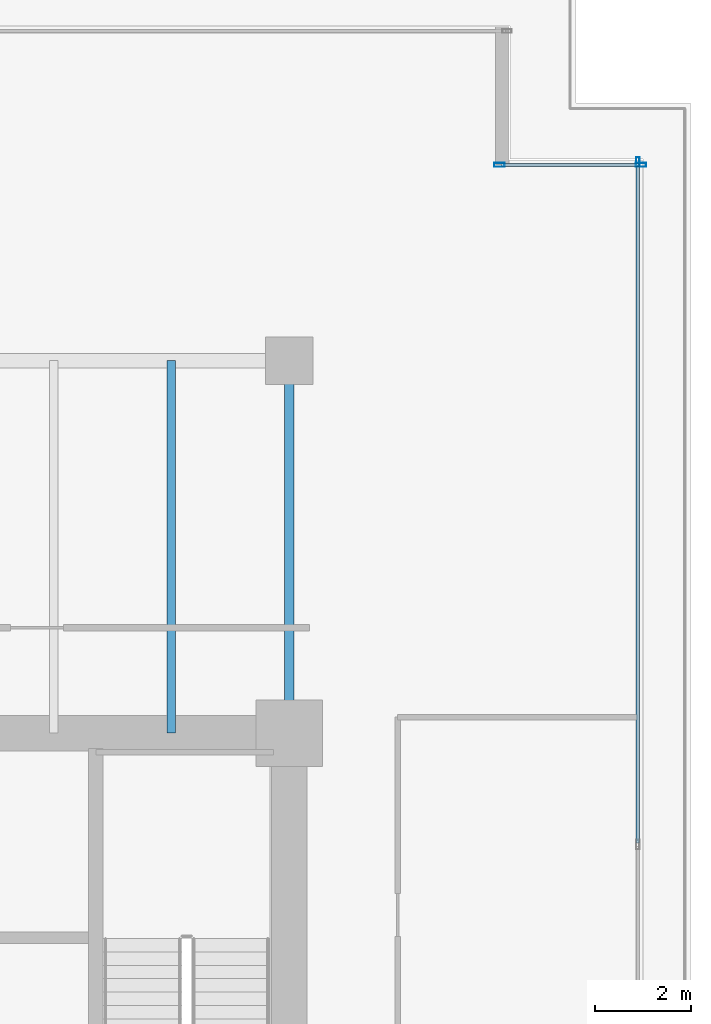
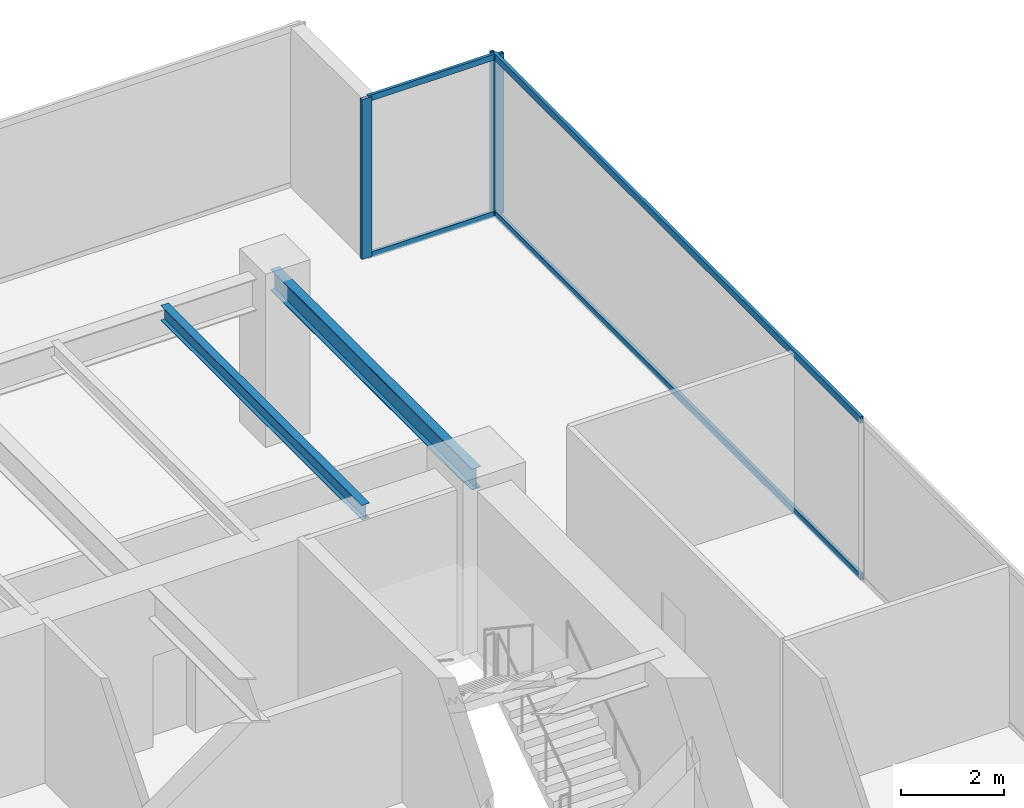
# One storey, part 26 of 36: 7 members, 2 beams, 2 elements without a shape of their own.
"""IFC4 building model written with IfcOpenShell, lengths in metres."""

import ifcopenshell
import ifcopenshell.guid

model = None  # the IFC model being written
_history = None  # IfcOwnerHistory: only IFC2X3 demands one
_inside = {}  # id of a spatial element -> (the spatial element, [elements in it])
_under = {}  # id of a project, library or spatial element -> (it, [spatial elements below it])
_declared = {}  # id of a project -> (the project, [libraries it declares])
_typed = {}  # id of a type object -> (the type object, [elements of that type])
_made_of = {}  # id of a material, layer set ... -> (it, [elements and type objects made of it])


def new_model(schema):
    """Start an empty IFC model of exactly this schema.

    Asked for "IFC4X3", IfcOpenShell would pick the latest addendum, in which some entities
    have other attributes; the version numbers below select the first issue.
    IFC2X3 requires an IfcOwnerHistory on every rooted entity: one is made here for all.
    """
    global model, _history
    if schema == "IFC4X3":
        model = ifcopenshell.file(schema_version=(4, 3, 0, 0))
    else:
        model = ifcopenshell.file(schema=schema)
    _inside.clear()
    _under.clear()
    _declared.clear()
    _typed.clear()
    _made_of.clear()
    _history = None
    if model.schema == "IFC2X3":
        org = make("IfcOrganization", Name="unknown")
        user = make(
            "IfcPersonAndOrganization",
            ThePerson=make("IfcPerson", FamilyName="unknown"),
            TheOrganization=org,
        )
        app = make(
            "IfcApplication",
            ApplicationDeveloper=org,
            Version="unknown",
            ApplicationFullName="unknown",
            ApplicationIdentifier="unknown",
        )
        _history = make(
            "IfcOwnerHistory",
            OwningUser=user,
            OwningApplication=app,
            ChangeAction="ADDED",
            CreationDate=0,
        )
    return model


def make(cls, **values):
    """One entity of the class cls with the attributes given. An attribute that is None is left unset."""
    return model.create_entity(
        cls, **{name: value for name, value in values.items() if value is not None}
    )


def rooted(cls, **values):
    """An entity with a GlobalId (a new one), such as an element, a storey or a relation."""
    return make(cls, GlobalId=ifcopenshell.guid.new(), OwnerHistory=_history, **values)


def si_unit(unit_type, name, prefix=None):
    """IfcSIUnit, for example si_unit("LENGTHUNIT", "METRE", prefix="MILLI")."""
    return make("IfcSIUnit", UnitType=unit_type, Prefix=prefix, Name=name)


def assignment(units):
    """IfcUnitAssignment: the units of a project."""
    return None if units is None else make("IfcUnitAssignment", Units=units)


def point(xyz):
    """IfcCartesianPoint."""
    return None if xyz is None else make("IfcCartesianPoint", Coordinates=xyz)


def direction(xyz):
    """IfcDirection."""
    return None if xyz is None else make("IfcDirection", DirectionRatios=xyz)


def frame(location, z_axis=None, x_axis=None):
    """IfcAxis2Placement3D, a coordinate frame: its origin and axes. An axis left out is left unset."""
    return make(
        "IfcAxis2Placement3D",
        Location=point(location),
        Axis=direction(z_axis),
        RefDirection=direction(x_axis),
    )


def frame_2d(location, x_axis=None):
    """IfcAxis2Placement2D, a coordinate frame in the plane: its origin and x axis."""
    return make(
        "IfcAxis2Placement2D", Location=point(location), RefDirection=direction(x_axis)
    )


def origin():
    """The frame at (0, 0, 0) with its axes left unset."""
    return frame((0.0, 0.0, 0.0))


def origin_2d():
    """The frame at (0, 0) in the plane with its x axis left unset."""
    return frame_2d((0.0, 0.0))


def place(relative_to, where):
    """IfcLocalPlacement: puts the frame where relative to a parent placement (None: the world)."""
    return make(
        "IfcLocalPlacement", PlacementRelTo=relative_to, RelativePlacement=where
    )


def context(
    kind, dimensions, precision=None, world=None, true_north=None, identifier=None
):
    """IfcGeometricRepresentationContext, for example the 3D "Model" context."""
    return make(
        "IfcGeometricRepresentationContext",
        ContextIdentifier=identifier,
        ContextType=kind,
        CoordinateSpaceDimension=dimensions,
        Precision=precision,
        WorldCoordinateSystem=world,
        TrueNorth=true_north,
    )


def subcontext(parent, identifier, kind, view, scale=None):
    """IfcGeometricRepresentationSubContext, for example "Body" below "Model"."""
    return make(
        "IfcGeometricRepresentationSubContext",
        ContextIdentifier=identifier,
        ContextType=kind,
        ParentContext=parent,
        TargetScale=scale,
        TargetView=view,
    )


def project(units=None, contexts=None):
    """IfcProject with its units and contexts."""
    return rooted(
        "IfcProject",
        Name="project",
        RepresentationContexts=contexts,
        UnitsInContext=assignment(units),
    )


def spatial(cls, under=None, at=None, **own):
    """A site, building, storey or space (cls), placed at a placement, below another one or the project."""
    s = rooted(cls, ObjectPlacement=at, **own)
    if under is not None:
        _under.setdefault(under.id(), (under, []))[1].append(s)
    return s


def profile(cls, at=None, kind="AREA", **sizes):
    """A parametric profile (cls). Its sizes go by their IFC names, for example OverallWidth=200.0."""
    return make(cls, ProfileType=kind, Position=at, **sizes)


def hollow_rectangle(**sizes):
    """IfcRectangleHollowProfileDef."""
    return profile("IfcRectangleHollowProfileDef", **sizes)


def i_section(**sizes):
    """IfcIShapeProfileDef."""
    return profile("IfcIShapeProfileDef", **sizes)


def extrude(swept, where, along, depth):
    """IfcExtrudedAreaSolid: the profile swept, set in the frame where, extruded along a direction by depth."""
    return make(
        "IfcExtrudedAreaSolid",
        SweptArea=swept,
        Position=where,
        ExtrudedDirection=direction(along),
        Depth=depth,
    )


def shape(context_of_items, identifier, shape_type, items):
    """IfcShapeRepresentation: the items that make up one representation, for example the "Body"."""
    return make(
        "IfcShapeRepresentation",
        ContextOfItems=context_of_items,
        RepresentationIdentifier=identifier,
        RepresentationType=shape_type,
        Items=items,
    )


def source(mapping_origin, context_of_items, identifier, shape_type, items):
    """IfcRepresentationMap: a shape defined once, which mapped items show again and again."""
    return make(
        "IfcRepresentationMap",
        MappingOrigin=mapping_origin,
        MappedRepresentation=shape(context_of_items, identifier, shape_type, items),
    )


def transform(
    local_origin,
    x_axis=None,
    y_axis=None,
    z_axis=None,
    scale=None,
    scale2=None,
    scale3=None,
    uniform=True,
):
    """IfcCartesianTransformationOperator3D, or its non-uniform kind. x_axis, y_axis, z_axis: its Axis1, 2, 3."""
    if uniform:
        return make(
            "IfcCartesianTransformationOperator3D",
            Axis1=direction(x_axis),
            Axis2=direction(y_axis),
            LocalOrigin=point(local_origin),
            Scale=scale,
            Axis3=direction(z_axis),
        )
    return make(
        "IfcCartesianTransformationOperator3DnonUniform",
        Axis1=direction(x_axis),
        Axis2=direction(y_axis),
        LocalOrigin=point(local_origin),
        Scale=scale,
        Axis3=direction(z_axis),
        Scale2=scale2,
        Scale3=scale3,
    )


def mapped(mapping_source, mapping_target):
    """IfcMappedItem: shows the shape of a source again, moved by a transform."""
    return make(
        "IfcMappedItem", MappingSource=mapping_source, MappingTarget=mapping_target
    )


def material(Name=None, Category=None):
    """IfcMaterial."""
    return make("IfcMaterial", Name=Name, Category=Category)


def layer(
    of_material, thickness, ventilated=None, Name=None, Category=None, Priority=None
):
    """IfcMaterialLayer: one layer of a wall or slab, of a material (None: an air gap)."""
    return make(
        "IfcMaterialLayer",
        Material=of_material,
        LayerThickness=thickness,
        IsVentilated=ventilated,
        Name=Name,
        Category=Category,
        Priority=Priority,
    )


def layer_set(layers, Name=None):
    """IfcMaterialLayerSet."""
    return make("IfcMaterialLayerSet", MaterialLayers=layers, LayerSetName=Name)


def material_profile(
    of_material, cross_section, Name=None, Category=None, Priority=None
):
    """IfcMaterialProfile: a cross section and its material."""
    return make(
        "IfcMaterialProfile",
        Name=Name,
        Material=of_material,
        Profile=cross_section,
        Priority=Priority,
        Category=Category,
    )


def profile_set(profiles, Name=None, composite=None):
    """IfcMaterialProfileSet."""
    return make(
        "IfcMaterialProfileSet",
        Name=Name,
        MaterialProfiles=profiles,
        CompositeProfile=composite,
    )


def made_of(thing, what):
    """Note that an element or type object is made of a material, layer set ...; save() writes the relation."""
    if what is not None:
        _made_of.setdefault(what.id(), (what, []))[1].append(thing)
    return thing


def type_object(cls, material=None, **own):
    """A type object (cls), such as IfcWallType, which elements share."""
    return made_of(rooted(cls, **own), material)


def type_shapes(of_type, sources):
    """Give a type object the sources (RepresentationMaps) that its elements show as mapped items."""
    of_type.RepresentationMaps = sources


def element(
    cls,
    number,
    at=None,
    inside=None,
    cuts=None,
    type_object=None,
    material=None,
    context=None,
    identifier="Body",
    shape_type=None,
    held_by="IfcProductDefinitionShape",
    body=None,
    shapes=None,
    **own,
):
    """One element of the class cls, such as IfcWall. Its Tag is "e" and its number.

    at: its placement. inside: the storey or other place that contains it. cuts: it is an
    opening in that element (IfcRelVoidsElement). A single representation is given by context,
    identifier, shape_type and body (its items); several are given by shapes. held_by: the class
    of the entity that holds the representations. save() writes the other relations.
    """
    e = rooted(cls, Tag="e%d" % number, ObjectPlacement=at, **own)
    if body is not None:
        shapes = [shape(context, identifier, shape_type, body)]
    if shapes is not None:
        e.Representation = make(held_by, Representations=shapes)
    if inside is not None:
        _inside.setdefault(inside.id(), (inside, []))[1].append(e)
    if cuts is not None:
        rooted(
            "IfcRelVoidsElement", RelatingBuildingElement=cuts, RelatedOpeningElement=e
        )
    if type_object is not None:
        _typed.setdefault(type_object.id(), (type_object, []))[1].append(e)
    return made_of(e, material)


def aggregate(whole, parts):
    """IfcRelAggregates: a whole, such as a stair, and the parts it consists of."""
    return rooted("IfcRelAggregates", RelatingObject=whole, RelatedObjects=parts)


def save(model, path):
    """Write the relations noted so far, then the file.

    IfcRelAggregates (storeys below a building ...), IfcRelContainedInSpatialStructure (elements
    in a storey), IfcRelDefinesByType, IfcRelAssociatesMaterial and IfcRelDeclares: one each for
    every whole, place, type object, material and project.
    """
    for whole, parts in _under.values():
        aggregate(whole, parts)
    for where, things in _inside.values():
        rooted(
            "IfcRelContainedInSpatialStructure",
            RelatedElements=things,
            RelatingStructure=where,
        )
    for kind, things in _typed.values():
        rooted("IfcRelDefinesByType", RelatedObjects=things, RelatingType=kind)
    for what, things in _made_of.values():
        rooted("IfcRelAssociatesMaterial", RelatedObjects=things, RelatingMaterial=what)
    for by, libraries in _declared.values():
        rooted("IfcRelDeclares", RelatingContext=by, RelatedDefinitions=libraries)
    model.write(path)


model = new_model("IFC4")

# Units and contexts
model_context = context("Model", 3, precision=1e-05, world=origin(), true_north=direction((0.0, 1.0)))
body_context = subcontext(model_context, "Body", "Model", "MODEL_VIEW")
ifc_project = project(units=[si_unit("LENGTHUNIT", "METRE"), si_unit("AREAUNIT", "SQUARE_METRE"), si_unit("VOLUMEUNIT", "CUBIC_METRE"), si_unit("PLANEANGLEUNIT", "RADIAN"), si_unit("MASSUNIT", "GRAM", prefix="KILO")], contexts=[model_context])

# Site, building, storey
site_placement = place(None, origin())
site = spatial("IfcSite", under=ifc_project, at=site_placement, CompositionType="ELEMENT")
building_placement = place(site_placement, origin())
building = spatial("IfcBuilding", under=site, at=building_placement, Name="Haelvirn Gate Laboratories", CompositionType="ELEMENT")
storey_placement = place(building_placement, frame((0.0, 0.0, 25.199951171875)))
storey = spatial("IfcBuildingStorey", under=building, at=storey_placement, Name="L06", CompositionType="ELEMENT", Elevation=25.199951171875)

# Beams
ifc_material_1 = material(Name="Steel SM355", Category="steel")
ifc_material_profile_1 = material_profile(ifc_material_1, i_section(OverallWidth=0.199951171875, OverallDepth=0.5, WebThickness=0.010009765625, FlangeThickness=0.01611328125, at=origin_2d()), Name="H-500x200x10x16")
ifc_profile_set_1 = profile_set([ifc_material_profile_1], Name="Steel SM355")
beam_type_1 = type_object("IfcBeamType", Name="BM-SP-500", PredefinedType="SPANDREL", material=ifc_profile_set_1)
shared_shape_1 = source(origin(), body_context, "Body", "SweptSolid", [
    extrude(i_section(OverallWidth=0.199951171875, OverallDepth=0.5, WebThickness=0.010009765625, FlangeThickness=0.01611328125, at=origin_2d()), origin(), (0.0, 0.0, 1.0), 7.800048828125),
])
type_shapes(beam_type_1, [shared_shape_1])
beam_1_placement = place(storey_placement, frame((67.39990234375, 33.800048828125, 3.530029296875), z_axis=(0.0, 1.0, 0.0), x_axis=(-1.0, 0.0, 0.0)))
element("IfcBeam", 1, at=beam_1_placement, inside=storey, type_object=beam_type_1, Name="L06 Perimeter Spandrel X67.4 (33.8-41.6)", PredefinedType="SPANDREL", context=body_context, shape_type="MappedRepresentation", body=[
    mapped(shared_shape_1, transform((0.0, 0.0, 0.0), scale=1.0)),
])
ifc_material_profile_2 = material_profile(ifc_material_1, i_section(OverallWidth=0.175048828125, OverallDepth=0.35009765625, WebThickness=0.007080078125, FlangeThickness=0.010986328125, at=origin_2d()), Name="H-350x175x7x11")
ifc_profile_set_2 = profile_set([ifc_material_profile_2], Name="Steel SM355")
beam_type_2 = type_object("IfcBeamType", Name="BM-J-350", PredefinedType="JOIST", material=ifc_profile_set_2)
shared_shape_2 = source(origin(), body_context, "Body", "SweptSolid", [
    extrude(i_section(OverallWidth=0.175048828125, OverallDepth=0.35009765625, WebThickness=0.007080078125, FlangeThickness=0.010986328125, at=origin_2d()), origin(), (0.0, 0.0, 1.0), 7.800048828125),
])
type_shapes(beam_type_2, [shared_shape_2])
beam_2_placement = place(storey_placement, frame((64.929931640625, 33.800048828125, 3.60498046875), z_axis=(0.0, 1.0, 0.0), x_axis=(-1.0, 0.0, 0.0)))
element("IfcBeam", 2, at=beam_2_placement, inside=storey, type_object=beam_type_2, Name="L06 Composite Lab Joist North X64.93", PredefinedType="JOIST", context=body_context, shape_type="MappedRepresentation", body=[
    mapped(shared_shape_2, transform((0.0, 0.0, 0.0), scale=1.0)),
])

# Curtain wall, member
ifc_material_2 = material(Name="Anodised bronze unitised aluminium & triple low-E glass", Category="aluminium")
ifc_layer_1 = layer(ifc_material_2, 0.18408203125, Name="CW-SYS-2")
ifc_layer_set_1 = layer_set([ifc_layer_1], Name="Anodised bronze unitised aluminium & triple low-E glass")
curtain_wall_type_1 = type_object("IfcCurtainWallType", Name="CW-SYS-2", PredefinedType="NOTDEFINED", material=ifc_layer_set_1)
curtain_wall_1_placement = place(storey_placement, origin())
curtain_wall_1 = element("IfcCurtainWall", 3, at=curtain_wall_1_placement, inside=storey, type_object=curtain_wall_type_1, Name="L06 Unitised Curtain Wall CW-L06-P0-E07", PredefinedType="NOTDEFINED")
ifc_material_3 = material(Name="Extruded aluminium 6063-T6 (anodised bronze)", Category="aluminium")
ifc_material_profile_3 = material_profile(ifc_material_3, hollow_rectangle(XDim=0.074951171875, YDim=0.199951171875, WallThickness=0.0048828125, at=origin_2d()), Name="CWM-200x75x5")
ifc_profile_set_3 = profile_set([ifc_material_profile_3], Name="Extruded aluminium 6063-T6 (anodised bronze)")
member_type_1 = type_object("IfcMemberType", Name="CWM-T200", PredefinedType="MULLION", material=ifc_profile_set_3)
shared_shape_3 = source(origin(), body_context, "Body", "SweptSolid", [
    extrude(hollow_rectangle(XDim=0.074951171875, YDim=0.199951171875, WallThickness=0.0048828125, at=origin_2d()), origin(), (0.0, 0.0, 1.0), 3.780029296875),
])
type_shapes(member_type_1, [shared_shape_3])
member_1_placement = place(storey_placement, frame((74.699951171875, 45.762451171875, 0.0), z_axis=(0.0, 0.0, 1.0), x_axis=(-1.0, 0.0, 0.0)))
member_1 = element("IfcMember", 4, at=member_1_placement, type_object=member_type_1, Name="CW2 mullion 4", PredefinedType="MULLION", context=body_context, shape_type="MappedRepresentation", body=[
    mapped(shared_shape_3, transform((0.0, 0.0, 0.0), scale=1.0)),
])

# Curtain wall, members
ifc_layer_2 = layer(ifc_material_2, 0.181884765625, Name="CW-SYS-5")
ifc_layer_set_2 = layer_set([ifc_layer_2], Name="Anodised bronze unitised aluminium & triple low-E glass")
curtain_wall_type_2 = type_object("IfcCurtainWallType", Name="CW-SYS-5", PredefinedType="NOTDEFINED", material=ifc_layer_set_2)
curtain_wall_2_placement = place(storey_placement, origin())
curtain_wall_2 = element("IfcCurtainWall", 5, at=curtain_wall_2_placement, inside=storey, type_object=curtain_wall_type_2, Name="L06 Unitised Curtain Wall CW-L06-P0-E08-1", PredefinedType="NOTDEFINED")
ifc_material_profile_4 = material_profile(ifc_material_3, hollow_rectangle(XDim=0.080078125, YDim=0.219970703125, WallThickness=0.006103515625, at=origin_2d()), Name="CWM-220x80x6")
ifc_profile_set_4 = profile_set([ifc_material_profile_4], Name="Extruded aluminium 6063-T6 (anodised bronze)")
member_type_2 = type_object("IfcMemberType", Name="CWM-T220", PredefinedType="MULLION", material=ifc_profile_set_4)
shared_shape_4 = source(origin(), body_context, "Body", "SweptSolid", [
    extrude(hollow_rectangle(XDim=0.080078125, YDim=0.219970703125, WallThickness=0.006103515625, at=origin_2d()), origin(), (0.0, 0.0, 1.0), 3.780029296875),
])
type_shapes(member_type_2, [shared_shape_4])
member_2_placement = place(storey_placement, frame((71.800048828125, 45.699951171875, 0.0), z_axis=(0.0, 0.0, 1.0), x_axis=(0.0, 1.0, 0.0)))
member_2 = element("IfcMember", 6, at=member_2_placement, type_object=member_type_2, Name="CW5 mullion 1", PredefinedType="MULLION", context=body_context, shape_type="MappedRepresentation", body=[
    mapped(shared_shape_4, transform((0.0, 0.0, 0.0), scale=1.0)),
])
member_3_placement = place(storey_placement, frame((74.760009765625, 45.699951171875, 0.0), z_axis=(0.0, 0.0, 1.0), x_axis=(0.0, 1.0, 0.0)))
member_3 = element("IfcMember", 7, at=member_3_placement, type_object=member_type_2, Name="CW5 mullion 2", PredefinedType="MULLION", context=body_context, shape_type="MappedRepresentation", body=[
    mapped(shared_shape_4, transform((0.0, 0.0, 0.0), scale=1.0)),
])
ifc_material_profile_5 = material_profile(ifc_material_3, hollow_rectangle(XDim=0.06494140625, YDim=0.139892578125, WallThickness=0.00390625, at=origin_2d()), Name="CWT-140x65x4")
ifc_profile_set_5 = profile_set([ifc_material_profile_5], Name="Extruded aluminium 6063-T6 (anodised bronze)")
member_type_3 = type_object("IfcMemberType", Name="CWT-T140", PredefinedType="USERDEFINED", material=ifc_profile_set_5)
shared_shape_5 = source(origin(), body_context, "Body", "SweptSolid", [
    extrude(hollow_rectangle(XDim=0.06494140625, YDim=0.139892578125, WallThickness=0.00390625, at=origin_2d()), origin(), (0.0, 0.0, 1.0), 2.8798828125),
])
type_shapes(member_type_3, [shared_shape_5])
member_4_placement = place(storey_placement, frame((71.840087890625, 45.699951171875, 0.032470703125), z_axis=(1.0, 0.0, 0.0), x_axis=(0.0, 1.0, 0.0)))
member_4 = element("IfcMember", 8, at=member_4_placement, type_object=member_type_3, Name="CW5 transom 1.1", ObjectType="TRANSOM", PredefinedType="USERDEFINED", context=body_context, shape_type="MappedRepresentation", body=[
    mapped(shared_shape_5, transform((0.0, 0.0, 0.0), scale=1.0)),
])
member_5_placement = place(storey_placement, frame((71.840087890625, 45.699951171875, 3.74755859375), z_axis=(1.0, 0.0, 0.0), x_axis=(0.0, 1.0, 0.0)))
member_5 = element("IfcMember", 9, at=member_5_placement, type_object=member_type_3, Name="CW5 transom 1.2", ObjectType="TRANSOM", PredefinedType="USERDEFINED", context=body_context, shape_type="MappedRepresentation", body=[
    mapped(shared_shape_5, transform((0.0, 0.0, 0.0), scale=1.0)),
])
aggregate(curtain_wall_2, [member_2, member_3, member_4, member_5])

# Member
ifc_material_profile_6 = material_profile(ifc_material_3, hollow_rectangle(XDim=0.070068359375, YDim=0.159912109375, WallThickness=0.0048828125, at=origin_2d()), Name="CWT-160x70x5")
ifc_profile_set_6 = profile_set([ifc_material_profile_6], Name="Extruded aluminium 6063-T6 (anodised bronze)")
member_type_4 = type_object("IfcMemberType", Name="CWT-T160", PredefinedType="USERDEFINED", material=ifc_profile_set_6)
shared_shape_6 = source(origin(), body_context, "Body", "SweptSolid", [
    extrude(hollow_rectangle(XDim=0.070068359375, YDim=0.159912109375, WallThickness=0.0048828125, at=origin_2d()), origin(), (0.0, 0.0, 1.0), 14.220947265625),
])
type_shapes(member_type_4, [shared_shape_6])
member_6_placement = place(storey_placement, frame((74.699951171875, 31.504150390625, 0.03515625), z_axis=(0.0, 1.0, 0.0), x_axis=(-1.0, 0.0, 0.0)))
member_6 = element("IfcMember", 10, at=member_6_placement, type_object=member_type_4, Name="CW2 transom 3.1", ObjectType="TRANSOM", PredefinedType="USERDEFINED", context=body_context, shape_type="MappedRepresentation", body=[
    mapped(shared_shape_6, transform((0.0, 0.0, 0.0), scale=1.0)),
])

member_7_placement = place(storey_placement, frame((74.699951171875, 31.504150390625, 3.7451171875), z_axis=(0.0, 1.0, 0.0), x_axis=(-1.0, 0.0, 0.0)))
member_7 = element("IfcMember", 11, at=member_7_placement, type_object=member_type_4, Name="CW2 transom 3.2", ObjectType="TRANSOM", PredefinedType="USERDEFINED", context=body_context, shape_type="MappedRepresentation", body=[
    mapped(shared_shape_6, transform((0.0, 0.0, 0.0), scale=1.0)),
])

aggregate(curtain_wall_1, [member_1, member_6, member_7])

save(model, "model.ifc")
